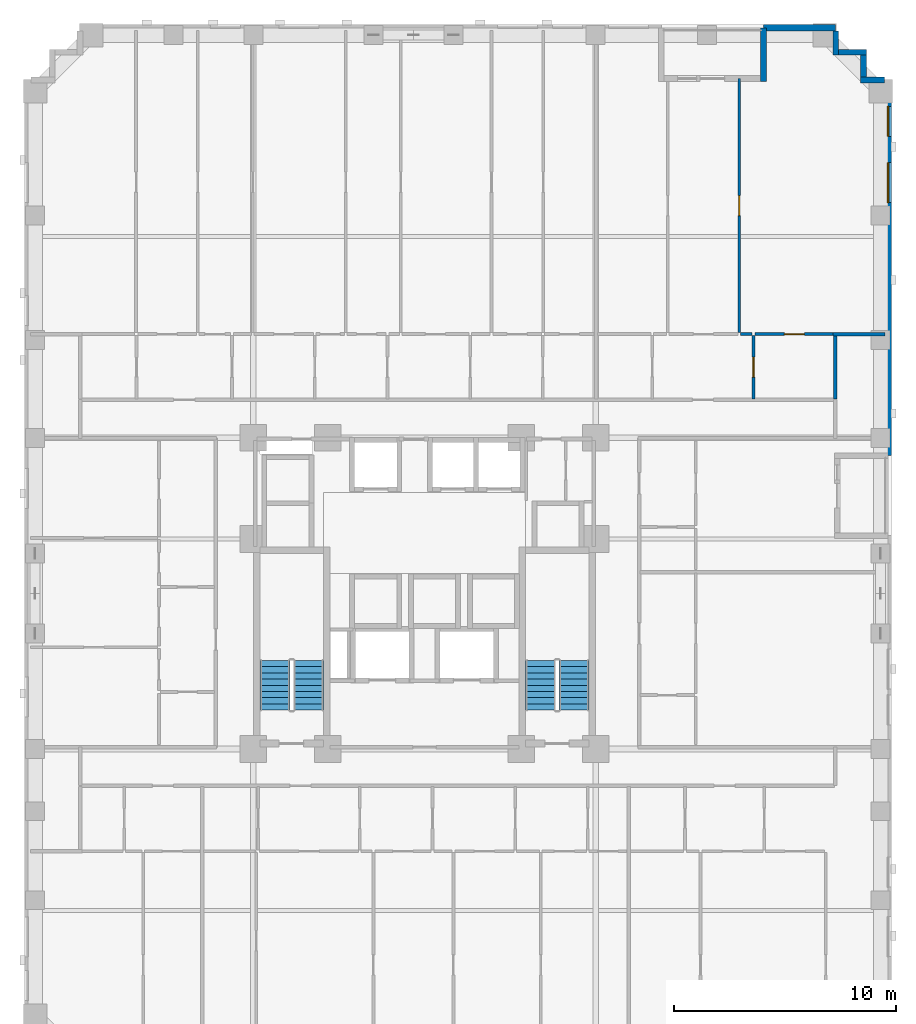
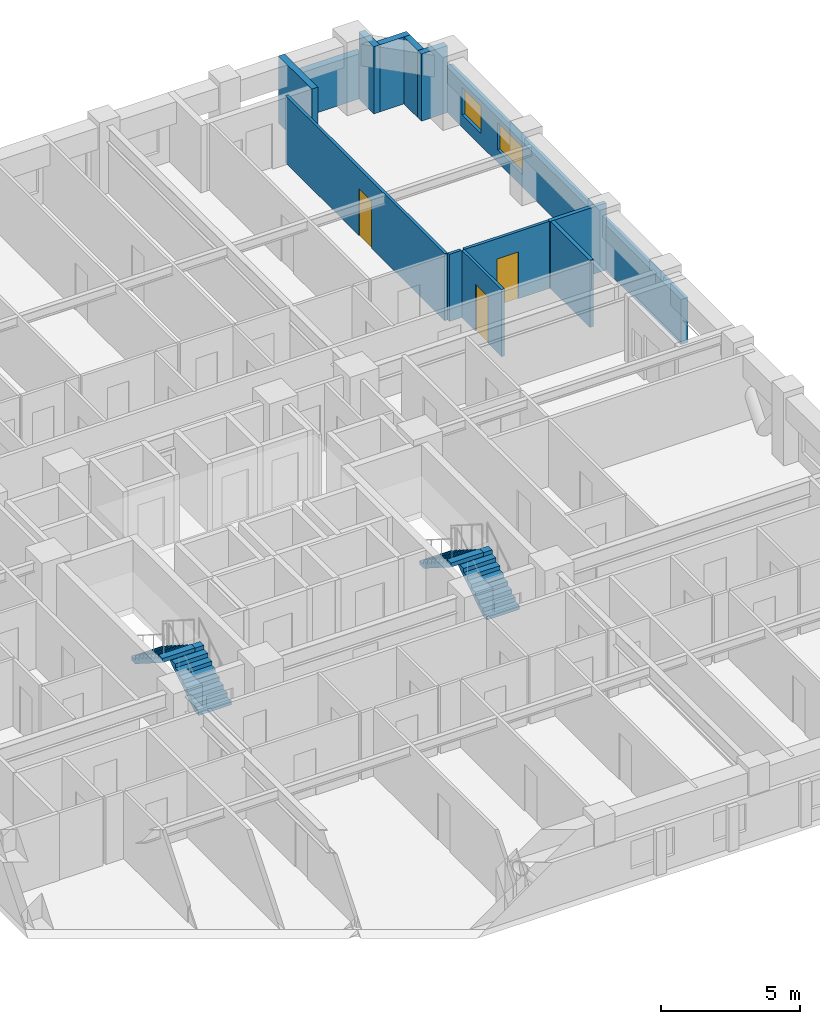
# One storey, part 9 of 14: 13 walls, 4 stair flights, 3 doors, 2 windows, 5 openings, 2 elements without a shape of their own.
"""IFC4 building model written with IfcOpenShell, lengths in metres."""

from ifc_helpers import new_model, si_unit, derived_unit, direction, frame, frame_2d, origin, place, context, subcontext, project, spatial, polyline, rectangle, outline, extrude, material, layer, layer_set, type_object, element, fill, aggregate, save


model = new_model("IFC4")

# Units and contexts
model_context = context("Model", 3, precision=1e-05, world=origin(), true_north=direction((0.0, 1.0)))
body_context = subcontext(model_context, "Body", "Model", "MODEL_VIEW")
ifc_project = project(units=[si_unit("LENGTHUNIT", "METRE"), si_unit("AREAUNIT", "SQUARE_METRE"), si_unit("VOLUMEUNIT", "CUBIC_METRE"), si_unit("PLANEANGLEUNIT", "RADIAN"), si_unit("MASSUNIT", "GRAM", prefix="KILO"), derived_unit("THERMALTRANSMITTANCEUNIT", [(si_unit("MASSUNIT", "GRAM", prefix="KILO"), 1), (si_unit("TIMEUNIT", "SECOND"), -3), (si_unit("THERMODYNAMICTEMPERATUREUNIT", "KELVIN"), -1)])], contexts=[model_context])

# Site, building, storey
site_placement = place(None, origin())
site = spatial("IfcSite", under=ifc_project, at=site_placement, CompositionType="ELEMENT")
building_placement = place(site_placement, origin())
building = spatial("IfcBuilding", under=site, at=building_placement, Name="Korrvale Station Residences", CompositionType="ELEMENT")
storey_placement = place(building_placement, frame((0.0, 0.0, 51.39990234375)))
storey = spatial("IfcBuildingStorey", under=building, at=storey_placement, Name="L13", CompositionType="ELEMENT", Elevation=51.39990234375)

# Walls
ifc_material_1 = material(Name="Precast concrete C45/55", Category="concrete")
ifc_layer_1 = layer(ifc_material_1, 0.260009765625, Name="Precast concrete C45/55")
ifc_layer_set_1 = layer_set([ifc_layer_1], Name="Precast concrete C45/55")
wall_type_1 = type_object("IfcWallType", Name="WAL-EXT-LOG260", PredefinedType="SOLIDWALL", material=ifc_layer_set_1)
wall_1_placement = place(storey_placement, frame((40.75, 45.0400390625, 0.0), z_axis=(0.0, 0.0, 1.0), x_axis=(0.0, 1.0, 0.0)))
element("IfcWall", 1, at=wall_1_placement, inside=storey, type_object=wall_type_1, Name="L13 Recessed Loggia Wall BAL-L13-N1-R", PredefinedType="SOLIDWALL", context=body_context, shape_type="SweptSolid", body=[
    extrude(rectangle(XDim=2.39990234375, YDim=0.260009765625, at=frame_2d((1.199951171875, 0.0))), origin(), (0.0, 0.0, 1.0), 2.940185546875),
])
wall_2_placement = place(storey_placement, frame((44.0, 47.298095703125, 0.0), z_axis=(0.0, 0.0, 1.0), x_axis=(0.0, -1.0, 0.0)))
element("IfcWall", 2, at=wall_2_placement, inside=storey, type_object=wall_type_1, Name="L13 Serrated Corner Precast Step NE-1", PredefinedType="SOLIDWALL", context=body_context, shape_type="SweptSolid", body=[
    extrude(rectangle(XDim=1.078125, YDim=0.260009765625, at=frame_2d((0.5390625, 0.0))), origin(), (0.0, 0.0, 1.0), 2.940185546875),
])
wall_3_placement = place(storey_placement, frame((44.132080078125, 46.35009765625, 0.0), z_axis=(0.0, 0.0, 1.0), x_axis=(1.0, 0.0, 0.0)))
element("IfcWall", 3, at=wall_3_placement, inside=storey, type_object=wall_type_1, Name="L13 Serrated Corner Precast Step NE-2", PredefinedType="SOLIDWALL", context=body_context, shape_type="SweptSolid", body=[
    extrude(rectangle(XDim=1.247802734375, YDim=0.260009765625, at=frame_2d((0.6240234375, 0.0))), origin(), (0.0, 0.0, 1.0), 2.940185546875),
])
wall_4_placement = place(storey_placement, frame((45.25, 46.218017578125, 0.0), z_axis=(0.0, 0.0, 1.0), x_axis=(0.0, -1.0, 0.0)))
element("IfcWall", 4, at=wall_4_placement, inside=storey, type_object=wall_type_1, Name="L13 Serrated Corner Precast Step NE-3", PredefinedType="SOLIDWALL", context=body_context, shape_type="SweptSolid", body=[
    extrude(rectangle(XDim=0.986083984375, YDim=0.260009765625, at=frame_2d((0.4931640625, 0.0))), origin(), (0.0, 0.0, 1.0), 2.940185546875),
])
wall_5_placement = place(storey_placement, frame((45.1201171875, 45.10009765625, 0.0), z_axis=(0.0, 0.0, 1.0), x_axis=(1.0, 0.0, 0.0)))
element("IfcWall", 5, at=wall_5_placement, inside=storey, type_object=wall_type_1, Name="L13 Serrated Corner Precast Step NE-4", PredefinedType="SOLIDWALL", context=body_context, shape_type="SweptSolid", body=[
    extrude(rectangle(XDim=1.077880859375, YDim=0.260009765625, at=frame_2d((0.5390625, 0.0))), origin(), (0.0, 0.0, 1.0), 2.940185546875),
])
ifc_layer_2 = layer(ifc_material_1, 0.300048828125, Name="Precast concrete C45/55")
ifc_layer_set_2 = layer_set([ifc_layer_2], Name="Precast concrete C45/55")
wall_type_2 = type_object("IfcWallType", Name="WAL-EXT-PC300", PredefinedType="SOLIDWALL", material=ifc_layer_set_2)
wall_6_placement = place(storey_placement, frame((40.75, 47.449951171875, 0.0), z_axis=(0.0, 0.0, 1.0), x_axis=(1.0, 0.0, 0.0)))
element("IfcWall", 6, at=wall_6_placement, inside=storey, type_object=wall_type_2, Name="L13 North Exterior Precast Wall 2", PredefinedType="SOLIDWALL", context=body_context, shape_type="SweptSolid", body=[
    extrude(rectangle(XDim=3.25, YDim=0.300048828125, at=frame_2d((1.625, 0.0))), origin(), (0.0, 0.0, 1.0), 1.97509765625),
])

# Wall, openings, windows
wall_7_placement = place(storey_placement, frame((46.35009765625, 45.10009765625, 0.0), z_axis=(0.0, 0.0, 1.0), x_axis=(0.0, -1.0, 0.0)))
wall_7 = element("IfcWall", 7, at=wall_7_placement, inside=storey, type_object=wall_type_2, Name="L13 East Exterior Precast Wall 1", PredefinedType="SOLIDWALL", context=body_context, shape_type="SweptSolid", body=[
    extrude(rectangle(XDim=16.900146484375, YDim=0.300048828125, at=frame_2d((8.4501953125, 0.0))), origin(), (0.0, 0.0, 1.0), 1.97509765625),
])
opening_1_placement = place(wall_7_placement, frame((3.715087890625, 0.0, 0.550048828125)))
opening_1 = element("IfcOpeningElement", 8, at=opening_1_placement, cuts=wall_7, Name="Opening W-09", PredefinedType="OPENING", context=body_context, shape_type="SweptSolid", body=[
    extrude(rectangle(XDim=1.800048828125, YDim=1.199951171875, at=frame_2d((0.89990234375, 0.60009765625))), frame((0.0, 0.16015625, 0.0), z_axis=(0.0, -1.0, 0.0), x_axis=(1.0, 0.0, 0.0)), (0.0, 0.0, 1.0), 0.320068359375),
])
opening_2_placement = place(wall_7_placement, frame((1.18505859375, 0.0, 0.550048828125)))
opening_2 = element("IfcOpeningElement", 9, at=opening_2_placement, cuts=wall_7, Name="Opening W-10", PredefinedType="OPENING", context=body_context, shape_type="SweptSolid", body=[
    extrude(rectangle(XDim=1.35009765625, YDim=1.199951171875, at=frame_2d((0.675048828125, 0.60009765625))), frame((0.0, 0.16015625, 0.0), z_axis=(0.0, -1.0, 0.0), x_axis=(1.0, 0.0, 0.0)), (0.0, 0.0, 1.0), 0.320068359375),
])
ifc_material_2 = material(Name="Thermally broken aluminium frame with triple low-e glazing", Category="aluminium")
window_type_1 = type_object("IfcWindowType", Name="WIN-W09", PartitioningType="DOUBLE_PANEL_VERTICAL", PredefinedType="WINDOW", material=ifc_material_2)
window_1_placement = place(opening_1_placement, origin())
window_1 = element("IfcWindow", 10, at=window_1_placement, inside=storey, type_object=window_type_1, Name="L13 Punched Window 19", OverallHeight=1.199951171875, OverallWidth=1.800048828125, PartitioningType="DOUBLE_PANEL_VERTICAL", PredefinedType="WINDOW", context=body_context, shape_type="SweptSolid", body=[
    extrude(rectangle(XDim=1.800048828125, YDim=1.199951171875, at=frame_2d((0.89990234375, 0.60009765625))), frame((0.0, 0.030029296875, 0.0), z_axis=(0.0, -1.0, 0.0), x_axis=(1.0, 0.0, 0.0)), (0.0, 0.0, 1.0), 0.06005859375),
])
fill(opening_1, window_1)
window_type_2 = type_object("IfcWindowType", Name="WIN-W10", PartitioningType="SINGLE_PANEL", PredefinedType="WINDOW", material=ifc_material_2)
window_2_placement = place(opening_2_placement, origin())
window_2 = element("IfcWindow", 11, at=window_2_placement, inside=storey, type_object=window_type_2, Name="L13 Punched Window 20", OverallHeight=1.199951171875, OverallWidth=1.35009765625, PartitioningType="SINGLE_PANEL", PredefinedType="WINDOW", context=body_context, shape_type="SweptSolid", body=[
    extrude(rectangle(XDim=1.35009765625, YDim=1.199951171875, at=frame_2d((0.675048828125, 0.60009765625))), frame((0.0, 0.030029296875, 0.0), z_axis=(0.0, -1.0, 0.0), x_axis=(1.0, 0.0, 0.0)), (0.0, 0.0, 1.0), 0.06005859375),
])
fill(opening_2, window_2)

# Wall, opening, door
ifc_material_3 = material(Name="Acoustic steel-stud gypsum board partition", Category="steel")
ifc_layer_3 = layer(ifc_material_3, 0.1201171875, Name="Acoustic steel-stud gypsum board partition")
ifc_layer_set_3 = layer_set([ifc_layer_3], Name="Acoustic steel-stud gypsum board partition")
wall_type_3 = type_object("IfcWallType", Name="WAL-PART-125", PredefinedType="PARTITIONING", material=ifc_layer_set_3)
wall_8_placement = place(storey_placement, frame((40.300048828125, 30.760009765625, 0.0), z_axis=(0.0, 0.0, 1.0), x_axis=(0.0, 1.0, 0.0)))
wall_8 = element("IfcWall", 12, at=wall_8_placement, inside=storey, type_object=wall_type_3, Name="L13 Suite Partition U05-V12", PredefinedType="PARTITIONING", context=body_context, shape_type="SweptSolid", body=[
    extrude(rectangle(XDim=2.85009765625, YDim=0.1201171875, at=frame_2d((1.425048828125, 0.0))), origin(), (0.0, 0.0, 1.0), 2.940185546875),
])
opening_3_placement = place(wall_8_placement, frame((0.97509765625, 0.0, 0.0)))
opening_3 = element("IfcOpeningElement", 13, at=opening_3_placement, cuts=wall_8, Name="Opening DI-900", PredefinedType="OPENING", context=body_context, shape_type="SweptSolid", body=[
    extrude(rectangle(XDim=0.89990234375, YDim=2.050048828125, at=frame_2d((0.449951171875, 1.02490234375))), frame((0.0, 0.070068359375, 0.0), z_axis=(0.0, -1.0, 0.0), x_axis=(1.0, 0.0, 0.0)), (0.0, 0.0, 1.0), 0.14013671875),
])
ifc_material_4 = material(Name="Painted solid-core timber interior room door", Category="wood")
door_type = type_object("IfcDoorType", Name="DR-INT-900", OperationType="NOTDEFINED", PredefinedType="DOOR", material=ifc_material_4)
door_1_placement = place(opening_3_placement, origin())
door_1 = element("IfcDoor", 14, at=door_1_placement, inside=storey, type_object=door_type, Name="L13 Studio Apartment L13-U05 Kitchen Door", OperationType="SINGLE_SWING_RIGHT", OverallHeight=2.050048828125, OverallWidth=0.89990234375, PredefinedType="DOOR", context=body_context, shape_type="SweptSolid", body=[
    extrude(rectangle(XDim=0.89990234375, YDim=2.050048828125, at=frame_2d((0.449951171875, 1.02490234375))), frame((0.0, 0.02490234375, 0.0), z_axis=(0.0, -1.0, 0.0), x_axis=(1.0, 0.0, 0.0)), (0.0, 0.0, 1.0), 0.050048828125),
])
fill(opening_3, door_1)

# Wall
wall_9_placement = place(storey_placement, frame((39.719970703125, 33.669921875, 0.0), z_axis=(0.0, 0.0, 1.0), x_axis=(1.0, 0.0, 0.0)))
element("IfcWall", 15, at=wall_9_placement, inside=storey, type_object=wall_type_3, Name="L13 Suite Partition U05-H15", PredefinedType="PARTITIONING", context=body_context, shape_type="SweptSolid", body=[
    extrude(rectangle(XDim=0.52001953125, YDim=0.1201171875, at=frame_2d((0.260009765625, 0.0))), origin(), (0.0, 0.0, 1.0), 2.940185546875),
])

# Wall, opening, door
wall_10_placement = place(storey_placement, frame((40.360107421875, 33.669921875, 0.0), z_axis=(0.0, 0.0, 1.0), x_axis=(1.0, 0.0, 0.0)))
wall_10 = element("IfcWall", 16, at=wall_10_placement, inside=storey, type_object=wall_type_3, Name="L13 Suite Partition U05-H25", PredefinedType="PARTITIONING", context=body_context, shape_type="SweptSolid", body=[
    extrude(rectangle(XDim=3.559814453125, YDim=0.1201171875, at=frame_2d((1.77978515625, 0.0))), origin(), (0.0, 0.0, 1.0), 2.940185546875),
])
opening_4_placement = place(wall_10_placement, frame((1.330078125, 0.0, 0.0)))
opening_4 = element("IfcOpeningElement", 17, at=opening_4_placement, cuts=wall_10, Name="Opening DI-900", PredefinedType="OPENING", context=body_context, shape_type="SweptSolid", body=[
    extrude(rectangle(XDim=0.89990234375, YDim=2.050048828125, at=frame_2d((0.449951171875, 1.02490234375))), frame((0.0, 0.070068359375, 0.0), z_axis=(0.0, -1.0, 0.0), x_axis=(1.0, 0.0, 0.0)), (0.0, 0.0, 1.0), 0.14013671875),
])
door_2_placement = place(opening_4_placement, origin())
door_2 = element("IfcDoor", 18, at=door_2_placement, inside=storey, type_object=door_type, Name="L13 Studio Apartment L13-U05 Utility and Laundry Room Door", OperationType="SINGLE_SWING_RIGHT", OverallHeight=2.050048828125, OverallWidth=0.89990234375, PredefinedType="DOOR", context=body_context, shape_type="SweptSolid", body=[
    extrude(rectangle(XDim=0.89990234375, YDim=2.050048828125, at=frame_2d((0.449951171875, 1.02490234375))), frame((0.0, 0.02490234375, 0.0), z_axis=(0.0, -1.0, 0.0), x_axis=(1.0, 0.0, 0.0)), (0.0, 0.0, 1.0), 0.050048828125),
])
fill(opening_4, door_2)

wall_11_placement = place(storey_placement, frame((39.659912109375, 33.72998046875, 0.0), z_axis=(0.0, 0.0, 1.0), x_axis=(0.0, 1.0, 0.0)))
wall_11 = element("IfcWall", 19, at=wall_11_placement, inside=storey, type_object=wall_type_3, Name="L13 Suite Partition U05-V45", PredefinedType="PARTITIONING", context=body_context, shape_type="SweptSolid", body=[
    extrude(rectangle(XDim=11.43994140625, YDim=0.1201171875, at=frame_2d((5.719970703125, 0.0))), origin(), (0.0, 0.0, 1.0), 2.940185546875),
])
opening_5_placement = place(wall_11_placement, frame((5.27001953125, 0.0, 0.0)))
opening_5 = element("IfcOpeningElement", 20, at=opening_5_placement, cuts=wall_11, Name="Opening DI-900", PredefinedType="OPENING", context=body_context, shape_type="SweptSolid", body=[
    extrude(rectangle(XDim=0.89990234375, YDim=2.050048828125, at=frame_2d((0.449951171875, 1.02490234375))), frame((0.0, 0.070068359375, 0.0), z_axis=(0.0, -1.0, 0.0), x_axis=(1.0, 0.0, 0.0)), (0.0, 0.0, 1.0), 0.14013671875),
])
door_3_placement = place(opening_5_placement, origin())
door_3 = element("IfcDoor", 21, at=door_3_placement, inside=storey, type_object=door_type, Name="L13 Studio Apartment L13-U05 Formal Dining Room Door", OperationType="SINGLE_SWING_RIGHT", OverallHeight=2.050048828125, OverallWidth=0.89990234375, PredefinedType="DOOR", context=body_context, shape_type="SweptSolid", body=[
    extrude(rectangle(XDim=0.89990234375, YDim=2.050048828125, at=frame_2d((0.449951171875, 1.02490234375))), frame((0.0, 0.02490234375, 0.0), z_axis=(0.0, -1.0, 0.0), x_axis=(1.0, 0.0, 0.0)), (0.0, 0.0, 1.0), 0.050048828125),
])
fill(opening_5, door_3)

# Walls
ifc_material_5 = material(Name="Fire-rated twin-stud gypsum and mineral wool shaftwall assembly", Category="gypsum")
ifc_layer_4 = layer(ifc_material_5, 0.159912109375, Name="Fire-rated twin-stud gypsum and mineral wool shaftwall assembly")
ifc_layer_set_4 = layer_set([ifc_layer_4], Name="Fire-rated twin-stud gypsum and mineral wool shaftwall assembly")
wall_type_4 = type_object("IfcWallType", Name="WAL-PART-200", PredefinedType="PARTITIONING", material=ifc_layer_set_4)
wall_12_placement = place(storey_placement, frame((43.8798828125, 33.669921875, 0.0), z_axis=(0.0, 0.0, 1.0), x_axis=(1.0, 0.0, 0.0)))
element("IfcWall", 22, at=wall_12_placement, inside=storey, type_object=wall_type_4, Name="L13 Corner Step Wall U05-R", PredefinedType="PARTITIONING", context=body_context, shape_type="SweptSolid", body=[
    extrude(rectangle(XDim=2.340087890625, YDim=0.159912109375, at=frame_2d((1.169921875, 0.0))), origin(), (0.0, 0.0, 1.0), 2.940185546875),
])
wall_13_placement = place(storey_placement, frame((43.97998046875, 30.760009765625, 0.0), z_axis=(0.0, 0.0, 1.0), x_axis=(0.0, 1.0, 0.0)))
element("IfcWall", 23, at=wall_13_placement, inside=storey, type_object=wall_type_4, Name="L13 Corner Step Cheek U05-R", PredefinedType="PARTITIONING", context=body_context, shape_type="SweptSolid", body=[
    extrude(rectangle(XDim=2.909912109375, YDim=0.159912109375, at=frame_2d((1.455078125, 0.0))), origin(), (0.0, 0.0, 1.0), 2.940185546875),
])

# Stair, stair flights
ifc_material_6 = material(Name="Concrete C50/60", Category="concrete")
stair_type = type_object("IfcStairType", Name="STR-DL-1350-18R-1778", PredefinedType="HALF_TURN_STAIR", material=ifc_material_6)
stair_1_placement = place(storey_placement, origin())
stair_1 = element("IfcStair", 24, at=stair_1_placement, inside=storey, type_object=stair_type, Name="L13 Exit Stair 1", PredefinedType="HALF_TURN_STAIR")
stair_flight_type = type_object("IfcStairFlightType", Name="FLT-DL-1350-18R-1778", PredefinedType="STRAIGHT", material=ifc_material_6)
stair_flight_1_placement = place(storey_placement, frame((20.27490234375, 16.75, 0.0), z_axis=(0.0, 0.0, 1.0), x_axis=(0.0, 1.0, 0.0)))
stair_flight_1 = element("IfcStairFlight", 25, at=stair_flight_1_placement, type_object=stair_flight_type, Name="ST-1 flight 1", NumberOfRisers=9, NumberOfTreads=8, PredefinedType="STRAIGHT", RiserHeight=0.177777778, TreadLength=0.28, context=body_context, shape_type="SweptSolid", body=[
    extrude(outline(polyline([(0.0, 0.0), (0.0, 0.177734375), (0.280029296875, 0.177734375), (0.280029296875, 0.35546875), (0.56005859375, 0.35546875), (0.56005859375, 0.533447265625), (0.840087890625, 0.533447265625), (0.840087890625, 0.711181640625), (1.1201171875, 0.711181640625), (1.1201171875, 0.888916015625), (1.39990234375, 0.888916015625), (1.39990234375, 1.066650390625), (1.679931640625, 1.066650390625), (1.679931640625, 1.244384765625), (1.9599609375, 1.244384765625), (1.9599609375, 1.422119140625), (2.239990234375, 1.422119140625), (2.239990234375, 1.60009765625), (2.239990234375, 1.24462890625), (0.27978515625, 0.0), (0.0, 0.0)])), frame((0.0, 0.675048828125, 0.0), z_axis=(0.0, -1.0, 0.0), x_axis=(1.0, 0.0, 0.0)), (0.0, 0.0, 1.0), 1.35009765625),
])
stair_flight_2_placement = place(storey_placement, frame((18.77490234375, 18.989990234375, 1.60009765625), z_axis=(0.0, 0.0, 1.0), x_axis=(0.0, -1.0, 0.0)))
stair_flight_2 = element("IfcStairFlight", 26, at=stair_flight_2_placement, type_object=stair_flight_type, Name="ST-1 flight 2", NumberOfRisers=9, NumberOfTreads=8, PredefinedType="STRAIGHT", RiserHeight=0.177777778, TreadLength=0.28, context=body_context, shape_type="SweptSolid", body=[
    extrude(outline(polyline([(0.0, 0.0), (0.0, 0.177734375), (0.280029296875, 0.177734375), (0.280029296875, 0.35546875), (0.56005859375, 0.35546875), (0.56005859375, 0.533447265625), (0.840087890625, 0.533447265625), (0.840087890625, 0.711181640625), (1.1201171875, 0.711181640625), (1.1201171875, 0.888916015625), (1.39990234375, 0.888916015625), (1.39990234375, 1.066650390625), (1.679931640625, 1.066650390625), (1.679931640625, 1.244384765625), (1.9599609375, 1.244384765625), (1.9599609375, 1.422119140625), (2.239990234375, 1.422119140625), (2.239990234375, 1.60009765625), (2.239990234375, 1.24462890625), (0.27978515625, 0.0), (0.0, 0.0)])), frame((0.0, 0.675048828125, 0.0), z_axis=(0.0, -1.0, 0.0), x_axis=(1.0, 0.0, 0.0)), (0.0, 0.0, 1.0), 1.35009765625),
])
aggregate(stair_1, [stair_flight_1, stair_flight_2])

stair_2_placement = place(storey_placement, origin())
stair_2 = element("IfcStair", 27, at=stair_2_placement, inside=storey, type_object=stair_type, Name="L13 Exit Stair 2", PredefinedType="HALF_TURN_STAIR")
stair_flight_3_placement = place(storey_placement, frame((32.22509765625, 16.75, 0.0), z_axis=(0.0, 0.0, 1.0), x_axis=(0.0, 1.0, 0.0)))
stair_flight_3 = element("IfcStairFlight", 28, at=stair_flight_3_placement, type_object=stair_flight_type, Name="ST-2 flight 1", NumberOfRisers=9, NumberOfTreads=8, PredefinedType="STRAIGHT", RiserHeight=0.177777778, TreadLength=0.28, context=body_context, shape_type="SweptSolid", body=[
    extrude(outline(polyline([(0.0, 0.0), (0.0, 0.177734375), (0.280029296875, 0.177734375), (0.280029296875, 0.35546875), (0.56005859375, 0.35546875), (0.56005859375, 0.533447265625), (0.840087890625, 0.533447265625), (0.840087890625, 0.711181640625), (1.1201171875, 0.711181640625), (1.1201171875, 0.888916015625), (1.39990234375, 0.888916015625), (1.39990234375, 1.066650390625), (1.679931640625, 1.066650390625), (1.679931640625, 1.244384765625), (1.9599609375, 1.244384765625), (1.9599609375, 1.422119140625), (2.239990234375, 1.422119140625), (2.239990234375, 1.60009765625), (2.239990234375, 1.24462890625), (0.27978515625, 0.0), (0.0, 0.0)])), frame((0.0, 0.675048828125, 0.0), z_axis=(0.0, -1.0, 0.0), x_axis=(1.0, 0.0, 0.0)), (0.0, 0.0, 1.0), 1.35009765625),
])
stair_flight_4_placement = place(storey_placement, frame((30.72509765625, 18.989990234375, 1.60009765625), z_axis=(0.0, 0.0, 1.0), x_axis=(0.0, -1.0, 0.0)))
stair_flight_4 = element("IfcStairFlight", 29, at=stair_flight_4_placement, type_object=stair_flight_type, Name="ST-2 flight 2", NumberOfRisers=9, NumberOfTreads=8, PredefinedType="STRAIGHT", RiserHeight=0.177777778, TreadLength=0.28, context=body_context, shape_type="SweptSolid", body=[
    extrude(outline(polyline([(0.0, 0.0), (0.0, 0.177734375), (0.280029296875, 0.177734375), (0.280029296875, 0.35546875), (0.56005859375, 0.35546875), (0.56005859375, 0.533447265625), (0.840087890625, 0.533447265625), (0.840087890625, 0.711181640625), (1.1201171875, 0.711181640625), (1.1201171875, 0.888916015625), (1.39990234375, 0.888916015625), (1.39990234375, 1.066650390625), (1.679931640625, 1.066650390625), (1.679931640625, 1.244384765625), (1.9599609375, 1.244384765625), (1.9599609375, 1.422119140625), (2.239990234375, 1.422119140625), (2.239990234375, 1.60009765625), (2.239990234375, 1.24462890625), (0.27978515625, 0.0), (0.0, 0.0)])), frame((0.0, 0.675048828125, 0.0), z_axis=(0.0, -1.0, 0.0), x_axis=(1.0, 0.0, 0.0)), (0.0, 0.0, 1.0), 1.35009765625),
])
aggregate(stair_2, [stair_flight_3, stair_flight_4])

save(model, "model.ifc")
